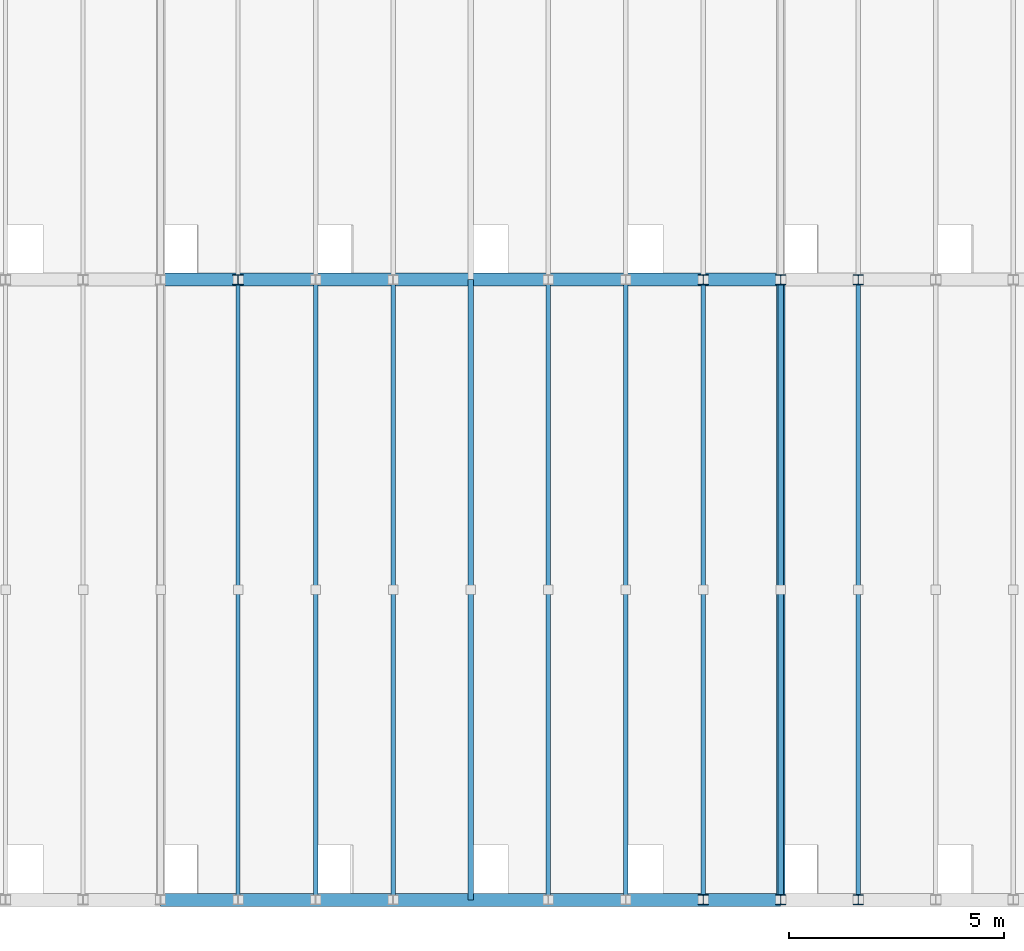
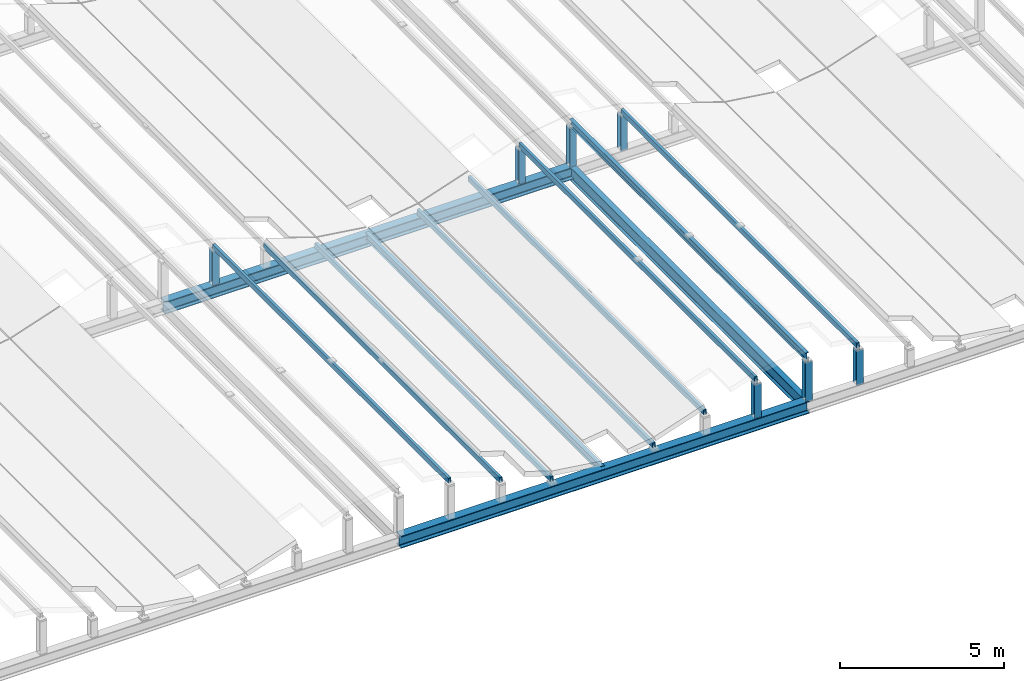
# One storey, part 29 of 83: 16 members, 3 beams.
"""IFC4 building model written with IfcOpenShell, lengths in metres."""

import ifcopenshell
import ifcopenshell.guid

model = None  # the IFC model being written
_history = None  # IfcOwnerHistory: only IFC2X3 demands one
_inside = {}  # id of a spatial element -> (the spatial element, [elements in it])
_under = {}  # id of a project, library or spatial element -> (it, [spatial elements below it])
_declared = {}  # id of a project -> (the project, [libraries it declares])
_typed = {}  # id of a type object -> (the type object, [elements of that type])
_made_of = {}  # id of a material, layer set ... -> (it, [elements and type objects made of it])


def new_model(schema):
    """Start an empty IFC model of exactly this schema.

    Asked for "IFC4X3", IfcOpenShell would pick the latest addendum, in which some entities
    have other attributes; the version numbers below select the first issue.
    IFC2X3 requires an IfcOwnerHistory on every rooted entity: one is made here for all.
    """
    global model, _history
    if schema == "IFC4X3":
        model = ifcopenshell.file(schema_version=(4, 3, 0, 0))
    else:
        model = ifcopenshell.file(schema=schema)
    _inside.clear()
    _under.clear()
    _declared.clear()
    _typed.clear()
    _made_of.clear()
    _history = None
    if model.schema == "IFC2X3":
        org = make("IfcOrganization", Name="unknown")
        user = make(
            "IfcPersonAndOrganization",
            ThePerson=make("IfcPerson", FamilyName="unknown"),
            TheOrganization=org,
        )
        app = make(
            "IfcApplication",
            ApplicationDeveloper=org,
            Version="unknown",
            ApplicationFullName="unknown",
            ApplicationIdentifier="unknown",
        )
        _history = make(
            "IfcOwnerHistory",
            OwningUser=user,
            OwningApplication=app,
            ChangeAction="ADDED",
            CreationDate=0,
        )
    return model


def make(cls, **values):
    """One entity of the class cls with the attributes given. An attribute that is None is left unset."""
    return model.create_entity(
        cls, **{name: value for name, value in values.items() if value is not None}
    )


def rooted(cls, **values):
    """An entity with a GlobalId (a new one), such as an element, a storey or a relation."""
    return make(cls, GlobalId=ifcopenshell.guid.new(), OwnerHistory=_history, **values)


def si_unit(unit_type, name, prefix=None):
    """IfcSIUnit, for example si_unit("LENGTHUNIT", "METRE", prefix="MILLI")."""
    return make("IfcSIUnit", UnitType=unit_type, Prefix=prefix, Name=name)


def assignment(units):
    """IfcUnitAssignment: the units of a project."""
    return None if units is None else make("IfcUnitAssignment", Units=units)


def point(xyz):
    """IfcCartesianPoint."""
    return None if xyz is None else make("IfcCartesianPoint", Coordinates=xyz)


def direction(xyz):
    """IfcDirection."""
    return None if xyz is None else make("IfcDirection", DirectionRatios=xyz)


def frame(location, z_axis=None, x_axis=None):
    """IfcAxis2Placement3D, a coordinate frame: its origin and axes. An axis left out is left unset."""
    return make(
        "IfcAxis2Placement3D",
        Location=point(location),
        Axis=direction(z_axis),
        RefDirection=direction(x_axis),
    )


def frame_2d(location, x_axis=None):
    """IfcAxis2Placement2D, a coordinate frame in the plane: its origin and x axis."""
    return make(
        "IfcAxis2Placement2D", Location=point(location), RefDirection=direction(x_axis)
    )


def origin():
    """The frame at (0, 0, 0) with its axes left unset."""
    return frame((0.0, 0.0, 0.0))


def origin_2d():
    """The frame at (0, 0) in the plane with its x axis left unset."""
    return frame_2d((0.0, 0.0))


def place(relative_to, where):
    """IfcLocalPlacement: puts the frame where relative to a parent placement (None: the world)."""
    return make(
        "IfcLocalPlacement", PlacementRelTo=relative_to, RelativePlacement=where
    )


def context(
    kind, dimensions, precision=None, world=None, true_north=None, identifier=None
):
    """IfcGeometricRepresentationContext, for example the 3D "Model" context."""
    return make(
        "IfcGeometricRepresentationContext",
        ContextIdentifier=identifier,
        ContextType=kind,
        CoordinateSpaceDimension=dimensions,
        Precision=precision,
        WorldCoordinateSystem=world,
        TrueNorth=true_north,
    )


def subcontext(parent, identifier, kind, view, scale=None):
    """IfcGeometricRepresentationSubContext, for example "Body" below "Model"."""
    return make(
        "IfcGeometricRepresentationSubContext",
        ContextIdentifier=identifier,
        ContextType=kind,
        ParentContext=parent,
        TargetScale=scale,
        TargetView=view,
    )


def project(units=None, contexts=None):
    """IfcProject with its units and contexts."""
    return rooted(
        "IfcProject",
        Name="project",
        RepresentationContexts=contexts,
        UnitsInContext=assignment(units),
    )


def spatial(cls, under=None, at=None, **own):
    """A site, building, storey or space (cls), placed at a placement, below another one or the project."""
    s = rooted(cls, ObjectPlacement=at, **own)
    if under is not None:
        _under.setdefault(under.id(), (under, []))[1].append(s)
    return s


def profile(cls, at=None, kind="AREA", **sizes):
    """A parametric profile (cls). Its sizes go by their IFC names, for example OverallWidth=200.0."""
    return make(cls, ProfileType=kind, Position=at, **sizes)


def hollow_rectangle(**sizes):
    """IfcRectangleHollowProfileDef."""
    return profile("IfcRectangleHollowProfileDef", **sizes)


def i_section(**sizes):
    """IfcIShapeProfileDef."""
    return profile("IfcIShapeProfileDef", **sizes)


def extrude(swept, where, along, depth):
    """IfcExtrudedAreaSolid: the profile swept, set in the frame where, extruded along a direction by depth."""
    return make(
        "IfcExtrudedAreaSolid",
        SweptArea=swept,
        Position=where,
        ExtrudedDirection=direction(along),
        Depth=depth,
    )


def shape(context_of_items, identifier, shape_type, items):
    """IfcShapeRepresentation: the items that make up one representation, for example the "Body"."""
    return make(
        "IfcShapeRepresentation",
        ContextOfItems=context_of_items,
        RepresentationIdentifier=identifier,
        RepresentationType=shape_type,
        Items=items,
    )


def material(Name=None, Category=None):
    """IfcMaterial."""
    return make("IfcMaterial", Name=Name, Category=Category)


def material_profile(
    of_material, cross_section, Name=None, Category=None, Priority=None
):
    """IfcMaterialProfile: a cross section and its material."""
    return make(
        "IfcMaterialProfile",
        Name=Name,
        Material=of_material,
        Profile=cross_section,
        Priority=Priority,
        Category=Category,
    )


def profile_set(profiles, Name=None, composite=None):
    """IfcMaterialProfileSet."""
    return make(
        "IfcMaterialProfileSet",
        Name=Name,
        MaterialProfiles=profiles,
        CompositeProfile=composite,
    )


def made_of(thing, what):
    """Note that an element or type object is made of a material, layer set ...; save() writes the relation."""
    if what is not None:
        _made_of.setdefault(what.id(), (what, []))[1].append(thing)
    return thing


def type_object(cls, material=None, **own):
    """A type object (cls), such as IfcWallType, which elements share."""
    return made_of(rooted(cls, **own), material)


def element(
    cls,
    number,
    at=None,
    inside=None,
    cuts=None,
    type_object=None,
    material=None,
    context=None,
    identifier="Body",
    shape_type=None,
    held_by="IfcProductDefinitionShape",
    body=None,
    shapes=None,
    **own,
):
    """One element of the class cls, such as IfcWall. Its Tag is "e" and its number.

    at: its placement. inside: the storey or other place that contains it. cuts: it is an
    opening in that element (IfcRelVoidsElement). A single representation is given by context,
    identifier, shape_type and body (its items); several are given by shapes. held_by: the class
    of the entity that holds the representations. save() writes the other relations.
    """
    e = rooted(cls, Tag="e%d" % number, ObjectPlacement=at, **own)
    if body is not None:
        shapes = [shape(context, identifier, shape_type, body)]
    if shapes is not None:
        e.Representation = make(held_by, Representations=shapes)
    if inside is not None:
        _inside.setdefault(inside.id(), (inside, []))[1].append(e)
    if cuts is not None:
        rooted(
            "IfcRelVoidsElement", RelatingBuildingElement=cuts, RelatedOpeningElement=e
        )
    if type_object is not None:
        _typed.setdefault(type_object.id(), (type_object, []))[1].append(e)
    return made_of(e, material)


def aggregate(whole, parts):
    """IfcRelAggregates: a whole, such as a stair, and the parts it consists of."""
    return rooted("IfcRelAggregates", RelatingObject=whole, RelatedObjects=parts)


def save(model, path):
    """Write the relations noted so far, then the file.

    IfcRelAggregates (storeys below a building ...), IfcRelContainedInSpatialStructure (elements
    in a storey), IfcRelDefinesByType, IfcRelAssociatesMaterial and IfcRelDeclares: one each for
    every whole, place, type object, material and project.
    """
    for whole, parts in _under.values():
        aggregate(whole, parts)
    for where, things in _inside.values():
        rooted(
            "IfcRelContainedInSpatialStructure",
            RelatedElements=things,
            RelatingStructure=where,
        )
    for kind, things in _typed.values():
        rooted("IfcRelDefinesByType", RelatedObjects=things, RelatingType=kind)
    for what, things in _made_of.values():
        rooted("IfcRelAssociatesMaterial", RelatedObjects=things, RelatingMaterial=what)
    for by, libraries in _declared.values():
        rooted("IfcRelDeclares", RelatingContext=by, RelatedDefinitions=libraries)
    model.write(path)


model = new_model("IFC4")

# Units and contexts
model_context = context("Model", 3, precision=1e-05, world=origin(), true_north=direction((0.0, 1.0)))
body_context = subcontext(model_context, "Body", "Model", "MODEL_VIEW")
ifc_project = project(units=[si_unit("LENGTHUNIT", "METRE"), si_unit("AREAUNIT", "SQUARE_METRE"), si_unit("VOLUMEUNIT", "CUBIC_METRE"), si_unit("PLANEANGLEUNIT", "RADIAN"), si_unit("MASSUNIT", "GRAM", prefix="KILO")], contexts=[model_context])

# Site, building, storey
site_placement = place(None, origin())
site = spatial("IfcSite", under=ifc_project, at=site_placement, CompositionType="ELEMENT")
building_placement = place(site_placement, origin())
building = spatial("IfcBuilding", under=site, at=building_placement, Name="Leyfeld Transit Interchange", CompositionType="ELEMENT")
storey_placement = place(building_placement, frame((0.0, 0.0, 5.39990234375)))
storey = spatial("IfcBuildingStorey", under=building, at=storey_placement, Name="L01", CompositionType="ELEMENT", Elevation=5.39990234375)

# Beams
ifc_material = material(Name="Steel S355J2", Category="steel")
ifc_material_profile_1 = material_profile(ifc_material, i_section(OverallWidth=0.300048828125, OverallDepth=0.449951171875, WebThickness=0.013916015625, FlangeThickness=0.02587890625, FilletRadius=0.027099609375, at=origin_2d()), Name="HEB 450")
ifc_profile_set_1 = profile_set([ifc_material_profile_1], Name="Steel S355J2")
beam_type_1 = type_object("IfcBeamType", Name="BM-STL-HEB450", PredefinedType="JOIST", material=ifc_profile_set_1)
for number, where, z_axis, x_axis, name in (
    (1, (158.39990234375, 0.0, 0.675048828125), (1.0, 0.0, 0.0), (0.0, 1.0, 0.0), "Bus Canopy Longitudinal Girder R1 B5"),
    (2, (158.39990234375, 14.39990234375, 0.675048828125), (1.0, 0.0, 0.0), (0.0, 1.0, 0.0), "Bus Canopy Longitudinal Girder R2 B5"),
):
    element("IfcBeam", number, at=place(storey_placement, frame(where, z_axis=z_axis, x_axis=x_axis)), inside=storey, type_object=beam_type_1, Name=name, PredefinedType="JOIST", context=body_context, shape_type="SweptSolid", body=[
        extrude(i_section(OverallWidth=0.300048828125, OverallDepth=0.449951171875, WebThickness=0.013916015625, FlangeThickness=0.02587890625, FilletRadius=0.027099609375, at=origin_2d()), origin(), (0.0, 0.0, 1.0), 14.400146484375),
    ])
ifc_material_profile_2 = material_profile(ifc_material, i_section(OverallWidth=0.199951171875, OverallDepth=0.5, WebThickness=0.01025390625, FlangeThickness=0.01611328125, FilletRadius=0.02099609375, at=origin_2d()), Name="IPE 500")
ifc_profile_set_2 = profile_set([ifc_material_profile_2], Name="Steel S355J2")
beam_type_2 = type_object("IfcBeamType", Name="BM-STL-IPE500", PredefinedType="BEAM", material=ifc_profile_set_2)
beam_placement = place(storey_placement, frame((172.800048828125, 0.0, 0.650146484375), z_axis=(0.0, 1.0, 0.0), x_axis=(-1.0, 0.0, 0.0)))
element("IfcBeam", 3, at=beam_placement, inside=storey, type_object=beam_type_2, Name="Bus Canopy Transverse Portal Girder B6 R1", PredefinedType="BEAM", context=body_context, shape_type="SweptSolid", body=[
    extrude(i_section(OverallWidth=0.199951171875, OverallDepth=0.5, WebThickness=0.01025390625, FlangeThickness=0.01611328125, FilletRadius=0.02099609375, at=origin_2d()), origin(), (0.0, 0.0, 1.0), 14.39990234375),
])

# Members
ifc_material_profile_3 = material_profile(ifc_material, i_section(OverallWidth=0.239990234375, OverallDepth=0.22998046875, WebThickness=0.007568359375, FlangeThickness=0.011962890625, FilletRadius=0.02099609375, at=origin_2d()), Name="HEA 240")
ifc_profile_set_3 = profile_set([ifc_material_profile_3], Name="Steel S355J2")
member_type_1 = type_object("IfcMemberType", Name="MEM-CHD-HEA240", PredefinedType="CHORD", material=ifc_profile_set_3)
member_1_placement = place(storey_placement, frame((160.199951171875, 14.39990234375, 0.860107421875), z_axis=(0.0, 0.0, 1.0), x_axis=(1.0, 0.0, 0.0)))
element("IfcMember", 4, at=member_1_placement, inside=storey, type_object=member_type_1, Name="Wave Canopy Riser Post 219", PredefinedType="CHORD", context=body_context, shape_type="SweptSolid", body=[
    extrude(i_section(OverallWidth=0.239990234375, OverallDepth=0.22998046875, WebThickness=0.007568359375, FlangeThickness=0.011962890625, FilletRadius=0.02099609375, at=origin_2d()), origin(), (0.0, 0.0, 1.0), 1.3154296875),
])
member_2_placement = place(storey_placement, frame((171.0, 0.0, 0.860107421875), z_axis=(0.0, 0.0, 1.0), x_axis=(1.0, 0.0, 0.0)))
element("IfcMember", 5, at=member_2_placement, inside=storey, type_object=member_type_1, Name="Wave Canopy Riser Post 255", PredefinedType="CHORD", context=body_context, shape_type="SweptSolid", body=[
    extrude(i_section(OverallWidth=0.239990234375, OverallDepth=0.22998046875, WebThickness=0.007568359375, FlangeThickness=0.011962890625, FilletRadius=0.02099609375, at=origin_2d()), origin(), (0.0, 0.0, 1.0), 1.2998046875),
])
member_3_placement = place(storey_placement, frame((171.0, 14.39990234375, 0.860107421875), z_axis=(0.0, 0.0, 1.0), x_axis=(1.0, 0.0, 0.0)))
element("IfcMember", 6, at=member_3_placement, inside=storey, type_object=member_type_1, Name="Wave Canopy Riser Post 257", PredefinedType="CHORD", context=body_context, shape_type="SweptSolid", body=[
    extrude(i_section(OverallWidth=0.239990234375, OverallDepth=0.22998046875, WebThickness=0.007568359375, FlangeThickness=0.011962890625, FilletRadius=0.02099609375, at=origin_2d()), origin(), (0.0, 0.0, 1.0), 1.3154296875),
])
member_4_placement = place(storey_placement, frame((172.800048828125, 0.0, 0.860107421875), z_axis=(0.0, 0.0, 1.0), x_axis=(1.0, 0.0, 0.0)))
element("IfcMember", 7, at=member_4_placement, inside=storey, type_object=member_type_1, Name="Wave Canopy Riser Post 262", PredefinedType="CHORD", context=body_context, shape_type="SweptSolid", body=[
    extrude(i_section(OverallWidth=0.239990234375, OverallDepth=0.22998046875, WebThickness=0.007568359375, FlangeThickness=0.011962890625, FilletRadius=0.02099609375, at=origin_2d()), origin(), (0.0, 0.0, 1.0), 1.488037109375),
])
member_5_placement = place(storey_placement, frame((172.800048828125, 14.39990234375, 0.860107421875), z_axis=(0.0, 0.0, 1.0), x_axis=(1.0, 0.0, 0.0)))
element("IfcMember", 8, at=member_5_placement, inside=storey, type_object=member_type_1, Name="Wave Canopy Riser Post 264", PredefinedType="CHORD", context=body_context, shape_type="SweptSolid", body=[
    extrude(i_section(OverallWidth=0.239990234375, OverallDepth=0.22998046875, WebThickness=0.007568359375, FlangeThickness=0.011962890625, FilletRadius=0.02099609375, at=origin_2d()), origin(), (0.0, 0.0, 1.0), 1.503173828125),
])
member_6_placement = place(storey_placement, frame((174.60009765625, 0.0, 0.860107421875), z_axis=(0.0, 0.0, 1.0), x_axis=(1.0, 0.0, 0.0)))
element("IfcMember", 9, at=member_6_placement, inside=storey, type_object=member_type_1, Name="Wave Canopy Riser Post 269", PredefinedType="CHORD", context=body_context, shape_type="SweptSolid", body=[
    extrude(i_section(OverallWidth=0.239990234375, OverallDepth=0.22998046875, WebThickness=0.007568359375, FlangeThickness=0.011962890625, FilletRadius=0.02099609375, at=origin_2d()), origin(), (0.0, 0.0, 1.0), 1.2998046875),
])
member_7_placement = place(storey_placement, frame((174.60009765625, 14.39990234375, 0.860107421875), z_axis=(0.0, 0.0, 1.0), x_axis=(1.0, 0.0, 0.0)))
element("IfcMember", 10, at=member_7_placement, inside=storey, type_object=member_type_1, Name="Wave Canopy Riser Post 271", PredefinedType="CHORD", context=body_context, shape_type="SweptSolid", body=[
    extrude(i_section(OverallWidth=0.239990234375, OverallDepth=0.22998046875, WebThickness=0.007568359375, FlangeThickness=0.011962890625, FilletRadius=0.02099609375, at=origin_2d()), origin(), (0.0, 0.0, 1.0), 1.3154296875),
])
ifc_material_profile_4 = material_profile(ifc_material, i_section(OverallWidth=0.135009765625, OverallDepth=0.27001953125, WebThickness=0.006591796875, FlangeThickness=0.01025390625, FilletRadius=0.014892578125, at=origin_2d()), Name="IPE 270")
ifc_profile_set_4 = profile_set([ifc_material_profile_4], Name="Steel S355J2")
member_type_2 = type_object("IfcMemberType", Name="MEM-PUR-IPE270", PredefinedType="PURLIN", material=ifc_profile_set_4)
for number, where, z_axis, x_axis, name in (
    (11, (165.60009765625, 0.0, 0.777587890625), (0.0, 1.0, 0.0), (-1.0, 0.0, 0.0), "Bus Canopy Purlin 237"),
    (12, (172.800048828125, 0.0, 2.483154296875), (0.0, 1.0, 0.0), (-1.0, 0.0, 0.0), "Bus Canopy Purlin 261"),
):
    element("IfcMember", number, at=place(storey_placement, frame(where, z_axis=z_axis, x_axis=x_axis)), inside=storey, type_object=member_type_2, Name=name, PredefinedType="PURLIN", context=body_context, shape_type="SweptSolid", body=[
        extrude(i_section(OverallWidth=0.135009765625, OverallDepth=0.27001953125, WebThickness=0.006591796875, FlangeThickness=0.01025390625, FilletRadius=0.014892578125, at=origin_2d()), origin(), (0.0, 0.0, 1.0), 14.39990234375),
    ])
ifc_material_profile_5 = material_profile(ifc_material, hollow_rectangle(XDim=0.10009765625, YDim=0.199951171875, WallThickness=0.008056640625, at=origin_2d()), Name="RHS 200x100x8")
ifc_profile_set_5 = profile_set([ifc_material_profile_5], Name="Steel S355J2")
member_type_3 = type_object("IfcMemberType", Name="MEM-PUR-RHS200", PredefinedType="PURLIN", material=ifc_profile_set_5)
for number, where, z_axis, x_axis, name in (
    (13, (160.199951171875, 0.0, 2.259765625), (0.0, 1.0, 0.0), (-1.0, 0.0, 0.0), "Bus Canopy Purlin 216"),
    (14, (162.0, 0.0, 1.656494140625), (0.0, 1.0, 0.0), (-1.0, 0.0, 0.0), "Bus Canopy Purlin 223"),
    (15, (163.800048828125, 0.0, 1.0546875), (0.0, 1.0, 0.0), (-1.0, 0.0, 0.0), "Bus Canopy Purlin 230"),
    (16, (167.39990234375, 0.0, 1.0546875), (0.0, 1.0, 0.0), (-1.0, 0.0, 0.0), "Bus Canopy Purlin 240"),
    (17, (169.199951171875, 0.0, 1.656494140625), (0.0, 1.0, 0.0), (-1.0, 0.0, 0.0), "Bus Canopy Purlin 247"),
    (18, (171.0, 0.0, 2.259765625), (0.0, 1.0, 0.0), (-1.0, 0.0, 0.0), "Bus Canopy Purlin 254"),
    (19, (174.60009765625, 0.0, 2.259765625), (0.0, 1.0, 0.0), (-1.0, 0.0, 0.0), "Bus Canopy Purlin 268"),
):
    element("IfcMember", number, at=place(storey_placement, frame(where, z_axis=z_axis, x_axis=x_axis)), inside=storey, type_object=member_type_3, Name=name, PredefinedType="PURLIN", context=body_context, shape_type="SweptSolid", body=[
        extrude(hollow_rectangle(XDim=0.10009765625, YDim=0.199951171875, WallThickness=0.008056640625, at=origin_2d()), origin(), (0.0, 0.0, 1.0), 14.39990234375),
    ])

save(model, "model.ifc")
